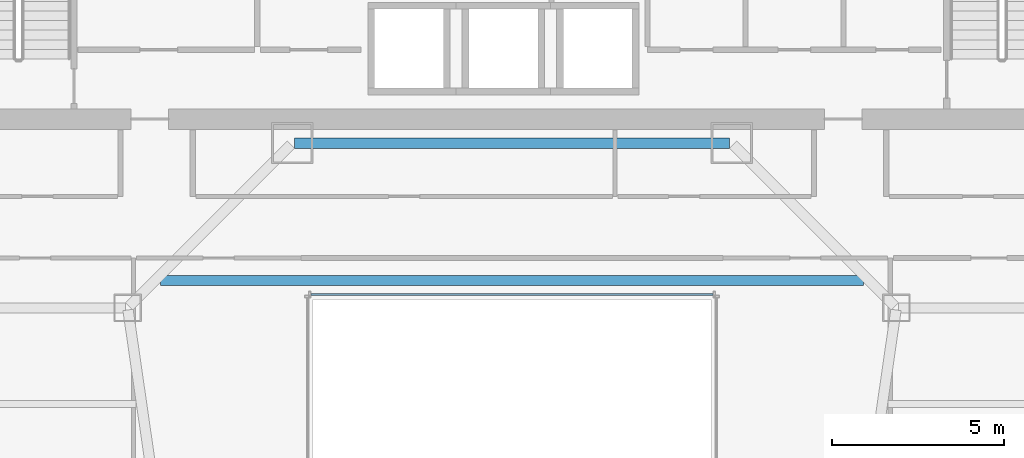
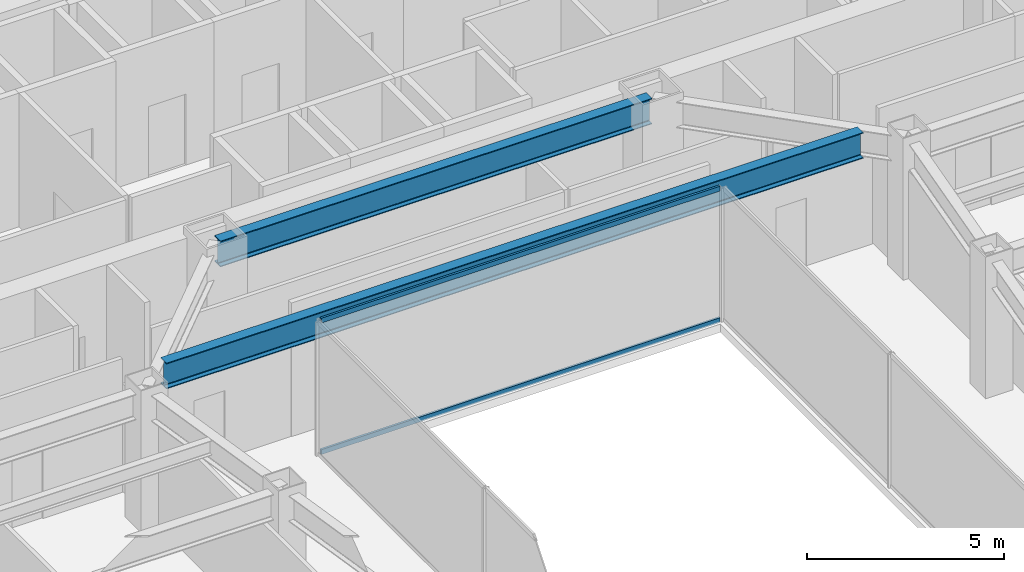
# One storey, part 25 of 47: 2 beams, 2 members, 1 element without a shape of its own.
"""IFC4 building model written with IfcOpenShell, lengths in metres."""

from ifc_helpers import new_model, si_unit, direction, frame, origin, origin_2d, place, context, subcontext, project, spatial, hollow_rectangle, i_section, extrude, material, material_profile, profile_set, type_object, element, aggregate, save


model = new_model("IFC4")

# Units and contexts
model_context = context("Model", 3, precision=1e-05, world=origin(), true_north=direction((0.0, 1.0)))
body_context = subcontext(model_context, "Body", "Model", "MODEL_VIEW")
ifc_project = project(units=[si_unit("LENGTHUNIT", "METRE"), si_unit("AREAUNIT", "SQUARE_METRE"), si_unit("VOLUMEUNIT", "CUBIC_METRE"), si_unit("PLANEANGLEUNIT", "RADIAN"), si_unit("MASSUNIT", "GRAM", prefix="KILO")], contexts=[model_context])

# Site, building, storey
site_placement = place(None, origin())
site = spatial("IfcSite", under=ifc_project, at=site_placement, CompositionType="ELEMENT")
building_placement = place(site_placement, origin())
building = spatial("IfcBuilding", under=site, at=building_placement, Name="Saevonmaru Cultural Tower", CompositionType="ELEMENT")
storey_placement = place(building_placement, frame((0.0, 0.0, 69.199951171875)))
storey = spatial("IfcBuildingStorey", under=building, at=storey_placement, Name="L14", CompositionType="ELEMENT", Elevation=69.199951171875)

# Beams
ifc_material_1 = material(Name="Steel SM420", Category="steel")
ifc_material_profile_1 = material_profile(ifc_material_1, i_section(OverallWidth=0.300048828125, OverallDepth=0.800048828125, WebThickness=0.013916015625, FlangeThickness=0.02587890625, FilletRadius=0.028076171875, at=origin_2d()), Name="H-800x300x14x26")
ifc_profile_set_1 = profile_set([ifc_material_profile_1], Name="Steel SM420")
beam_type = type_object("IfcBeamType", Name="BM-G-H800", PredefinedType="BEAM", material=ifc_profile_set_1)
beam_1_placement = place(storey_placement, frame((23.659912109375, 42.39990234375, 3.75), z_axis=(1.0, 0.0, 0.0), x_axis=(0.0, 1.0, 0.0)))
element("IfcBeam", 1, at=beam_1_placement, inside=storey, type_object=beam_type, Name="L14 Core South Girder 3", PredefinedType="BEAM", context=body_context, shape_type="SweptSolid", body=[
    extrude(i_section(OverallWidth=0.300048828125, OverallDepth=0.800048828125, WebThickness=0.013916015625, FlangeThickness=0.02587890625, FilletRadius=0.028076171875, at=origin_2d()), origin(), (0.0, 0.0, 1.0), 12.68017578125),
])
beam_2_placement = place(storey_placement, frame((19.7646484375, 38.39990234375, 3.75), z_axis=(1.0, 0.0, 0.0), x_axis=(0.0, 1.0, 0.0)))
element("IfcBeam", 2, at=beam_2_placement, inside=storey, type_object=beam_type, Name="L14 Central Link Girder", PredefinedType="BEAM", context=body_context, shape_type="SweptSolid", body=[
    extrude(i_section(OverallWidth=0.300048828125, OverallDepth=0.800048828125, WebThickness=0.013916015625, FlangeThickness=0.02587890625, FilletRadius=0.028076171875, at=origin_2d()), origin(), (0.0, 0.0, 1.0), 20.470703125),
])

# Curtain wall, members
ifc_material_2 = material(Name="Satin Bronze Anodised Aluminium", Category="aluminium")
curtain_wall_type = type_object("IfcCurtainWallType", Name="CW-ATR-GLZ", PredefinedType="NOTDEFINED", material=ifc_material_2)
curtain_wall_placement = place(storey_placement, origin())
curtain_wall = element("IfcCurtainWall", 3, at=curtain_wall_placement, inside=storey, type_object=curtain_wall_type, Name="L14 Vertical Atrium Glazed Smoke Screen 3", PredefinedType="NOTDEFINED")
ifc_material_profile_2 = material_profile(ifc_material_2, hollow_rectangle(XDim=0.06494140625, YDim=0.14990234375, WallThickness=0.00390625, at=origin_2d()), Name="ALU-TRAN-150x65x4")
ifc_profile_set_2 = profile_set([ifc_material_profile_2], Name="Satin Bronze Anodised Aluminium")
member_type = type_object("IfcMemberType", Name="TR-CW-INT-150x65", PredefinedType="USERDEFINED", material=ifc_profile_set_2)
member_1_placement = place(storey_placement, frame((35.857421875, 37.989990234375, 0.032470703125), z_axis=(-1.0, 0.0, 0.0), x_axis=(0.0, -1.0, 0.0)))
member_1 = element("IfcMember", 4, at=member_1_placement, type_object=member_type, Name="CW-ATR-L14-3 transom 1.1", ObjectType="TRANSOM", PredefinedType="USERDEFINED", context=body_context, shape_type="SweptSolid", body=[
    extrude(hollow_rectangle(XDim=0.06494140625, YDim=0.14990234375, WallThickness=0.00390625, at=origin_2d()), origin(), (0.0, 0.0, 1.0), 11.71484375),
])
member_2_placement = place(storey_placement, frame((35.857421875, 37.989990234375, 4.117431640625), z_axis=(-1.0, 0.0, 0.0), x_axis=(0.0, -1.0, 0.0)))
member_2 = element("IfcMember", 5, at=member_2_placement, type_object=member_type, Name="CW-ATR-L14-3 transom 1.2", ObjectType="TRANSOM", PredefinedType="USERDEFINED", context=body_context, shape_type="SweptSolid", body=[
    extrude(hollow_rectangle(XDim=0.06494140625, YDim=0.14990234375, WallThickness=0.00390625, at=origin_2d()), origin(), (0.0, 0.0, 1.0), 11.71484375),
])
aggregate(curtain_wall, [member_1, member_2])

save(model, "model.ifc")
